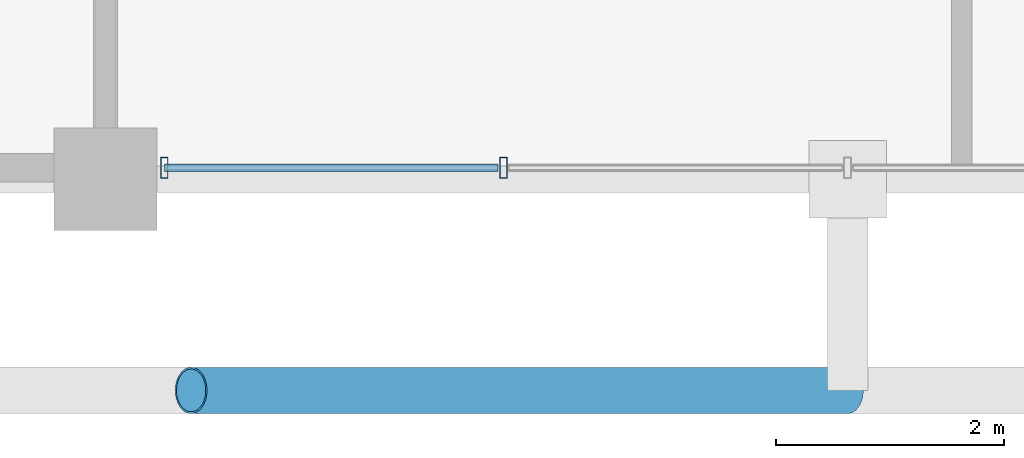
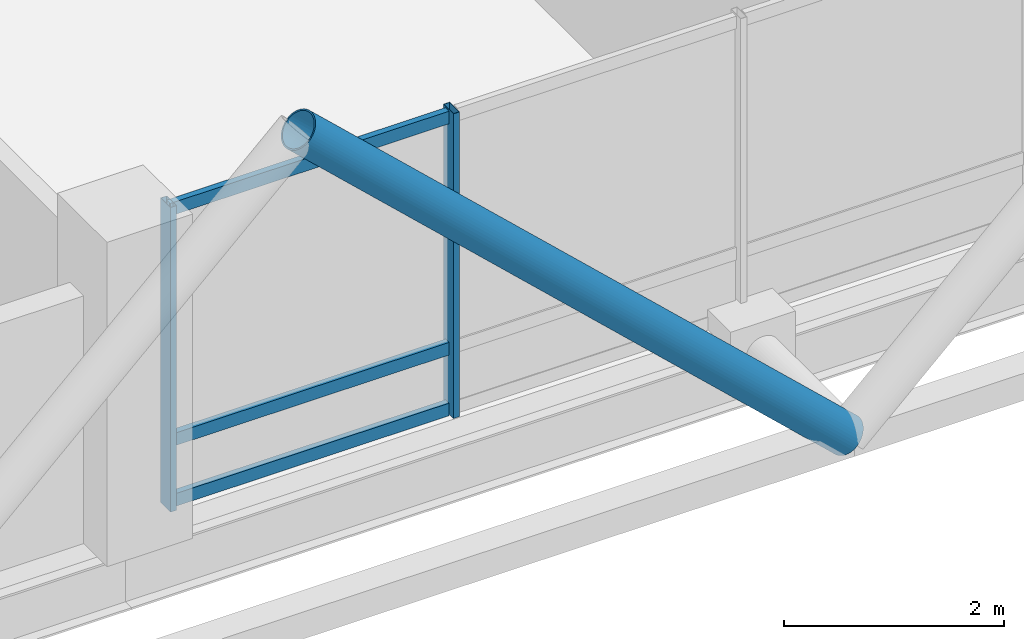
# One storey, part 2 of 24: 6 members, 1 element without a shape of its own.
"""IFC4 building model written with IfcOpenShell, lengths in metres."""

from ifc_helpers import new_model, si_unit, direction, frame, origin, origin_2d, place, context, subcontext, project, spatial, hollow_rectangle, hollow_circle, extrude, material, layer, layer_set, material_profile, profile_set, type_object, element, aggregate, save


model = new_model("IFC4")

# Units and contexts
model_context = context("Model", 3, precision=1e-05, world=origin(), true_north=direction((0.0, 1.0)))
body_context = subcontext(model_context, "Body", "Model", "MODEL_VIEW")
ifc_project = project(units=[si_unit("LENGTHUNIT", "METRE"), si_unit("AREAUNIT", "SQUARE_METRE"), si_unit("VOLUMEUNIT", "CUBIC_METRE"), si_unit("PLANEANGLEUNIT", "RADIAN"), si_unit("MASSUNIT", "GRAM", prefix="KILO")], contexts=[model_context])

# Site, building, storey
site_placement = place(None, origin())
site = spatial("IfcSite", under=ifc_project, at=site_placement, CompositionType="ELEMENT")
building_placement = place(site_placement, origin())
building = spatial("IfcBuilding", under=site, at=building_placement, Name="Barlavira Tower and Art Museum", CompositionType="ELEMENT")
storey_placement = place(building_placement, frame((0.0, 0.0, 272.699951171875)))
storey = spatial("IfcBuildingStorey", under=building, at=storey_placement, Name="L71", CompositionType="ELEMENT", Elevation=272.699951171875)

# Curtain wall, members
ifc_material_1 = material(Name="Low-iron coastal laminated glass", Category="glass")
ifc_layer = layer(ifc_material_1, 0.2099609375, Name="Low-iron coastal laminated glass")
ifc_layer_set = layer_set([ifc_layer], Name="Low-iron coastal laminated glass")
curtain_wall_type = type_object("IfcCurtainWallType", Name="Pale-Metal Unitised Curtain Wall Zone 4", PredefinedType="NOTDEFINED", material=ifc_layer_set)
curtain_wall_placement = place(storey_placement, origin())
curtain_wall = element("IfcCurtainWall", 1, at=curtain_wall_placement, inside=storey, type_object=curtain_wall_type, Name="L71 Curtain Wall CW4-L71-S-B2", PredefinedType="NOTDEFINED")
ifc_material_2 = material(Name="Pale anodised aluminium", Category="aluminium")
ifc_material_profile_1 = material_profile(ifc_material_2, hollow_rectangle(XDim=0.06494140625, YDim=0.179931640625, WallThickness=0.00390625, at=origin_2d()), Name="ALU-MULL 65x180x4")
ifc_profile_set_1 = profile_set([ifc_material_profile_1], Name="Pale anodised aluminium")
member_type_1 = type_object("IfcMemberType", Name="Curtain Wall Pale-Metal Mullion 65x180", PredefinedType="MULLION", material=ifc_profile_set_1)
member_1_placement = place(storey_placement, frame((-5.985107421875, -19.89990234375, 0.0), z_axis=(0.0, 0.0, 1.0), x_axis=(1.0, 0.0, 0.0)))
member_1 = element("IfcMember", 2, at=member_1_placement, type_object=member_type_1, Name="CW4-L71-S-B2 Mullion 0", PredefinedType="MULLION", context=body_context, shape_type="SweptSolid", body=[
    extrude(hollow_rectangle(XDim=0.06494140625, YDim=0.179931640625, WallThickness=0.00390625, at=origin_2d()), origin(), (0.0, 0.0, 1.0), 3.380126953125),
])
member_2_placement = place(storey_placement, frame((-3.014892578125, -19.89990234375, 0.0), z_axis=(0.0, 0.0, 1.0), x_axis=(1.0, 0.0, 0.0)))
member_2 = element("IfcMember", 3, at=member_2_placement, type_object=member_type_1, Name="CW4-L71-S-B2 Mullion 1", PredefinedType="MULLION", context=body_context, shape_type="SweptSolid", body=[
    extrude(hollow_rectangle(XDim=0.06494140625, YDim=0.179931640625, WallThickness=0.00390625, at=origin_2d()), origin(), (0.0, 0.0, 1.0), 3.380126953125),
])
ifc_material_profile_2 = material_profile(ifc_material_2, hollow_rectangle(XDim=0.06494140625, YDim=0.139892578125, WallThickness=0.00390625, at=origin_2d()), Name="ALU-TRAN 65x140x4")
ifc_profile_set_2 = profile_set([ifc_material_profile_2], Name="Pale anodised aluminium")
member_type_2 = type_object("IfcMemberType", Name="Curtain Wall Pale-Metal Transom 65x140", PredefinedType="USERDEFINED", material=ifc_profile_set_2)
member_3_placement = place(storey_placement, frame((-5.985107421875, -19.89990234375, 0.070068359375), z_axis=(1.0, 0.0, 0.0), x_axis=(0.0, 1.0, 0.0)))
member_3 = element("IfcMember", 4, at=member_3_placement, type_object=member_type_2, Name="CW4-L71-S-B2 Transom 0.1", ObjectType="TRANSOM", PredefinedType="USERDEFINED", context=body_context, shape_type="SweptSolid", body=[
    extrude(hollow_rectangle(XDim=0.06494140625, YDim=0.139892578125, WallThickness=0.00390625, at=origin_2d()), origin(), (0.0, 0.0, 1.0), 2.925048828125),
])
member_4_placement = place(storey_placement, frame((-5.985107421875, -19.89990234375, 0.744140625), z_axis=(1.0, 0.0, 0.0), x_axis=(0.0, 1.0, 0.0)))
member_4 = element("IfcMember", 5, at=member_4_placement, type_object=member_type_2, Name="CW4-L71-S-B2 Transom 0.2", ObjectType="TRANSOM", PredefinedType="USERDEFINED", context=body_context, shape_type="SweptSolid", body=[
    extrude(hollow_rectangle(XDim=0.06494140625, YDim=0.139892578125, WallThickness=0.00390625, at=origin_2d()), origin(), (0.0, 0.0, 1.0), 2.925048828125),
])
member_5_placement = place(storey_placement, frame((-5.985107421875, -19.89990234375, 3.31005859375), z_axis=(1.0, 0.0, 0.0), x_axis=(0.0, 1.0, 0.0)))
member_5 = element("IfcMember", 6, at=member_5_placement, type_object=member_type_2, Name="CW4-L71-S-B2 Transom 0.3", ObjectType="TRANSOM", PredefinedType="USERDEFINED", context=body_context, shape_type="SweptSolid", body=[
    extrude(hollow_rectangle(XDim=0.06494140625, YDim=0.139892578125, WallThickness=0.00390625, at=origin_2d()), origin(), (0.0, 0.0, 1.0), 2.925048828125),
])
aggregate(curtain_wall, [member_1, member_2, member_3, member_4, member_5])

# Member
ifc_material_3 = material(Name="Steel S355", Category="steel")
ifc_material_profile_3 = material_profile(ifc_material_3, hollow_circle(Radius=0.203125, WallThickness=0.01611328125, at=origin_2d()), Name="CHS 406.4x16.0")
ifc_profile_set_3 = profile_set([ifc_material_profile_3], Name="Steel S355")
member_type_3 = type_object("IfcMemberType", Name="Pale-Metal Exoskeleton Diagrid Tube CHS 406x16 Steel S355", PredefinedType="BRACE", material=ifc_profile_set_3)
member_6_placement = place(storey_placement, frame((0.0, -21.85009765625, -0.119873046875), z_axis=(-0.728950095515, 0.0, 0.684566839869), x_axis=(0.0, -1.0, 0.0)))
element("IfcMember", 7, at=member_6_placement, inside=storey, type_object=member_type_3, Name="L71 Exoskeleton Diagrid Tube S", PredefinedType="BRACE", context=body_context, shape_type="SweptSolid", body=[
    extrude(hollow_circle(Radius=0.203125, WallThickness=0.01611328125, at=origin_2d()), origin(), (0.0, 0.0, 1.0), 7.887939453125),
])

save(model, "model.ifc")
